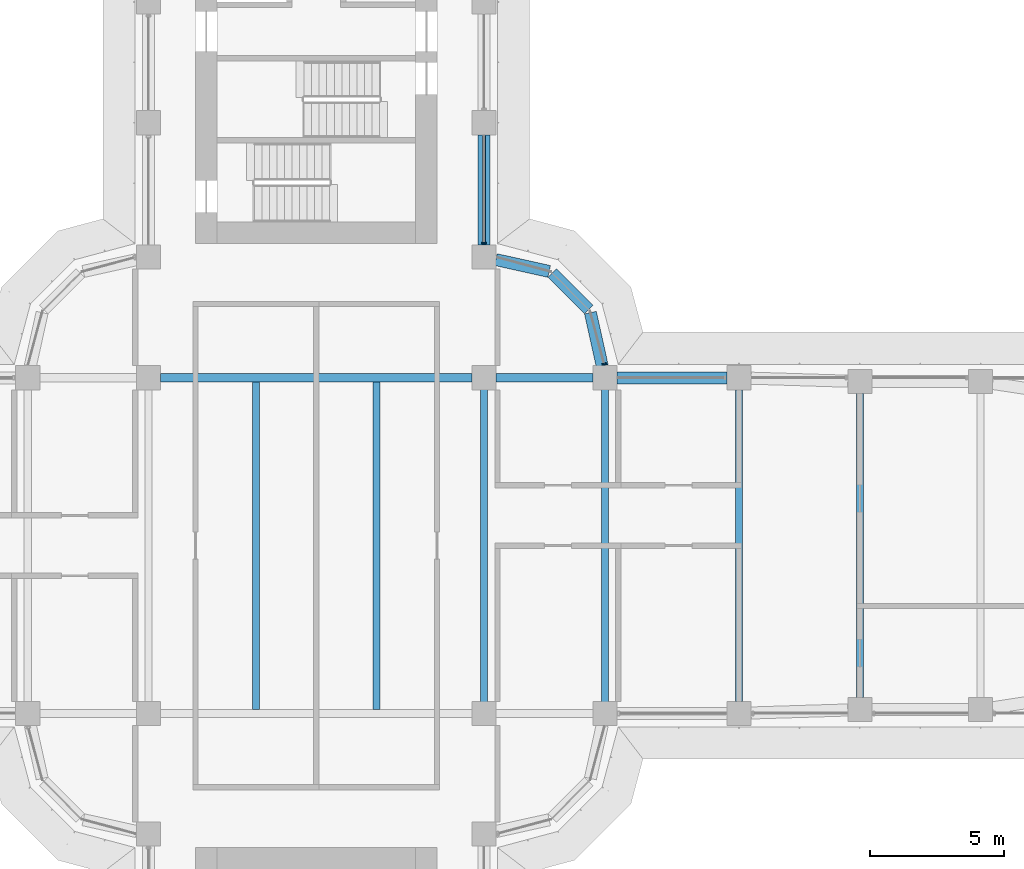
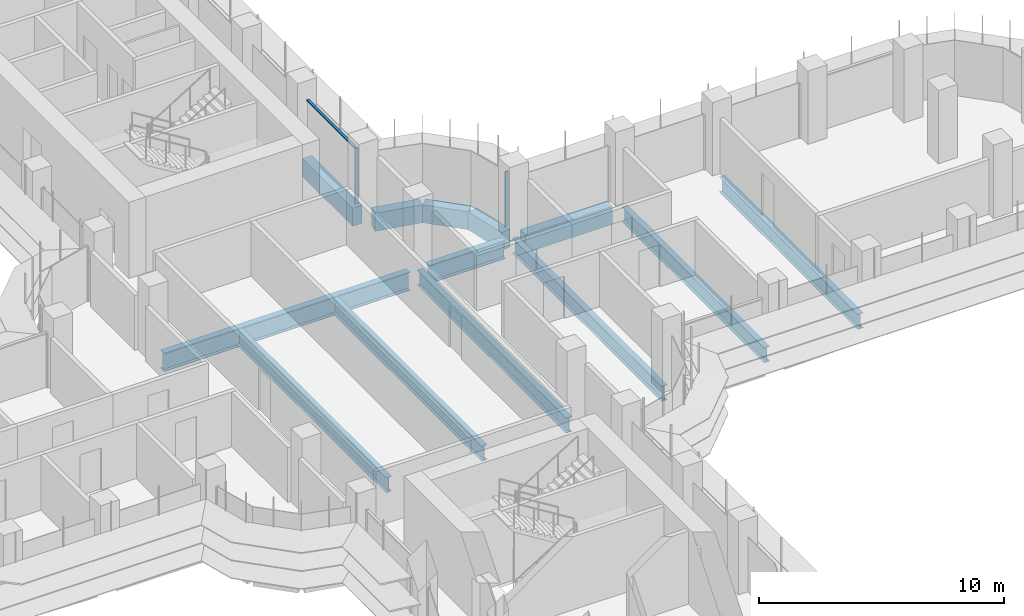
# One storey, part 8 of 23: 13 beams, 3 members, 2 elements without a shape of their own.
"""IFC4 building model written with IfcOpenShell, lengths in metres."""

import ifcopenshell
import ifcopenshell.guid

model = None  # the IFC model being written
_history = None  # IfcOwnerHistory: only IFC2X3 demands one
_inside = {}  # id of a spatial element -> (the spatial element, [elements in it])
_under = {}  # id of a project, library or spatial element -> (it, [spatial elements below it])
_declared = {}  # id of a project -> (the project, [libraries it declares])
_typed = {}  # id of a type object -> (the type object, [elements of that type])
_made_of = {}  # id of a material, layer set ... -> (it, [elements and type objects made of it])


def new_model(schema):
    """Start an empty IFC model of exactly this schema.

    Asked for "IFC4X3", IfcOpenShell would pick the latest addendum, in which some entities
    have other attributes; the version numbers below select the first issue.
    IFC2X3 requires an IfcOwnerHistory on every rooted entity: one is made here for all.
    """
    global model, _history
    if schema == "IFC4X3":
        model = ifcopenshell.file(schema_version=(4, 3, 0, 0))
    else:
        model = ifcopenshell.file(schema=schema)
    _inside.clear()
    _under.clear()
    _declared.clear()
    _typed.clear()
    _made_of.clear()
    _history = None
    if model.schema == "IFC2X3":
        org = make("IfcOrganization", Name="unknown")
        user = make(
            "IfcPersonAndOrganization",
            ThePerson=make("IfcPerson", FamilyName="unknown"),
            TheOrganization=org,
        )
        app = make(
            "IfcApplication",
            ApplicationDeveloper=org,
            Version="unknown",
            ApplicationFullName="unknown",
            ApplicationIdentifier="unknown",
        )
        _history = make(
            "IfcOwnerHistory",
            OwningUser=user,
            OwningApplication=app,
            ChangeAction="ADDED",
            CreationDate=0,
        )
    return model


def make(cls, **values):
    """One entity of the class cls with the attributes given. An attribute that is None is left unset."""
    return model.create_entity(
        cls, **{name: value for name, value in values.items() if value is not None}
    )


def rooted(cls, **values):
    """An entity with a GlobalId (a new one), such as an element, a storey or a relation."""
    return make(cls, GlobalId=ifcopenshell.guid.new(), OwnerHistory=_history, **values)


def si_unit(unit_type, name, prefix=None):
    """IfcSIUnit, for example si_unit("LENGTHUNIT", "METRE", prefix="MILLI")."""
    return make("IfcSIUnit", UnitType=unit_type, Prefix=prefix, Name=name)


def assignment(units):
    """IfcUnitAssignment: the units of a project."""
    return None if units is None else make("IfcUnitAssignment", Units=units)


def point(xyz):
    """IfcCartesianPoint."""
    return None if xyz is None else make("IfcCartesianPoint", Coordinates=xyz)


def direction(xyz):
    """IfcDirection."""
    return None if xyz is None else make("IfcDirection", DirectionRatios=xyz)


def frame(location, z_axis=None, x_axis=None):
    """IfcAxis2Placement3D, a coordinate frame: its origin and axes. An axis left out is left unset."""
    return make(
        "IfcAxis2Placement3D",
        Location=point(location),
        Axis=direction(z_axis),
        RefDirection=direction(x_axis),
    )


def frame_2d(location, x_axis=None):
    """IfcAxis2Placement2D, a coordinate frame in the plane: its origin and x axis."""
    return make(
        "IfcAxis2Placement2D", Location=point(location), RefDirection=direction(x_axis)
    )


def origin():
    """The frame at (0, 0, 0) with its axes left unset."""
    return frame((0.0, 0.0, 0.0))


def origin_2d():
    """The frame at (0, 0) in the plane with its x axis left unset."""
    return frame_2d((0.0, 0.0))


def place(relative_to, where):
    """IfcLocalPlacement: puts the frame where relative to a parent placement (None: the world)."""
    return make(
        "IfcLocalPlacement", PlacementRelTo=relative_to, RelativePlacement=where
    )


def context(
    kind, dimensions, precision=None, world=None, true_north=None, identifier=None
):
    """IfcGeometricRepresentationContext, for example the 3D "Model" context."""
    return make(
        "IfcGeometricRepresentationContext",
        ContextIdentifier=identifier,
        ContextType=kind,
        CoordinateSpaceDimension=dimensions,
        Precision=precision,
        WorldCoordinateSystem=world,
        TrueNorth=true_north,
    )


def subcontext(parent, identifier, kind, view, scale=None):
    """IfcGeometricRepresentationSubContext, for example "Body" below "Model"."""
    return make(
        "IfcGeometricRepresentationSubContext",
        ContextIdentifier=identifier,
        ContextType=kind,
        ParentContext=parent,
        TargetScale=scale,
        TargetView=view,
    )


def project(units=None, contexts=None):
    """IfcProject with its units and contexts."""
    return rooted(
        "IfcProject",
        Name="project",
        RepresentationContexts=contexts,
        UnitsInContext=assignment(units),
    )


def spatial(cls, under=None, at=None, **own):
    """A site, building, storey or space (cls), placed at a placement, below another one or the project."""
    s = rooted(cls, ObjectPlacement=at, **own)
    if under is not None:
        _under.setdefault(under.id(), (under, []))[1].append(s)
    return s


def polyline(points):
    """IfcPolyline through the points."""
    return make("IfcPolyline", Points=[point(p) for p in points])


def profile(cls, at=None, kind="AREA", **sizes):
    """A parametric profile (cls). Its sizes go by their IFC names, for example OverallWidth=200.0."""
    return make(cls, ProfileType=kind, Position=at, **sizes)


def rectangle(**sizes):
    """IfcRectangleProfileDef."""
    return profile("IfcRectangleProfileDef", **sizes)


def i_section(**sizes):
    """IfcIShapeProfileDef."""
    return profile("IfcIShapeProfileDef", **sizes)


def outline(outer, holes=None, kind="AREA"):
    """IfcArbitraryClosedProfileDef: a profile drawn as a closed curve; with holes, ...WithVoids."""
    if holes is None:
        return make("IfcArbitraryClosedProfileDef", ProfileType=kind, OuterCurve=outer)
    return make(
        "IfcArbitraryProfileDefWithVoids",
        ProfileType=kind,
        OuterCurve=outer,
        InnerCurves=holes,
    )


def extrude(swept, where, along, depth):
    """IfcExtrudedAreaSolid: the profile swept, set in the frame where, extruded along a direction by depth."""
    return make(
        "IfcExtrudedAreaSolid",
        SweptArea=swept,
        Position=where,
        ExtrudedDirection=direction(along),
        Depth=depth,
    )


def shape(context_of_items, identifier, shape_type, items):
    """IfcShapeRepresentation: the items that make up one representation, for example the "Body"."""
    return make(
        "IfcShapeRepresentation",
        ContextOfItems=context_of_items,
        RepresentationIdentifier=identifier,
        RepresentationType=shape_type,
        Items=items,
    )


def source(mapping_origin, context_of_items, identifier, shape_type, items):
    """IfcRepresentationMap: a shape defined once, which mapped items show again and again."""
    return make(
        "IfcRepresentationMap",
        MappingOrigin=mapping_origin,
        MappedRepresentation=shape(context_of_items, identifier, shape_type, items),
    )


def transform(
    local_origin,
    x_axis=None,
    y_axis=None,
    z_axis=None,
    scale=None,
    scale2=None,
    scale3=None,
    uniform=True,
):
    """IfcCartesianTransformationOperator3D, or its non-uniform kind. x_axis, y_axis, z_axis: its Axis1, 2, 3."""
    if uniform:
        return make(
            "IfcCartesianTransformationOperator3D",
            Axis1=direction(x_axis),
            Axis2=direction(y_axis),
            LocalOrigin=point(local_origin),
            Scale=scale,
            Axis3=direction(z_axis),
        )
    return make(
        "IfcCartesianTransformationOperator3DnonUniform",
        Axis1=direction(x_axis),
        Axis2=direction(y_axis),
        LocalOrigin=point(local_origin),
        Scale=scale,
        Axis3=direction(z_axis),
        Scale2=scale2,
        Scale3=scale3,
    )


def mapped(mapping_source, mapping_target):
    """IfcMappedItem: shows the shape of a source again, moved by a transform."""
    return make(
        "IfcMappedItem", MappingSource=mapping_source, MappingTarget=mapping_target
    )


def material(Name=None, Category=None):
    """IfcMaterial."""
    return make("IfcMaterial", Name=Name, Category=Category)


def material_profile(
    of_material, cross_section, Name=None, Category=None, Priority=None
):
    """IfcMaterialProfile: a cross section and its material."""
    return make(
        "IfcMaterialProfile",
        Name=Name,
        Material=of_material,
        Profile=cross_section,
        Priority=Priority,
        Category=Category,
    )


def profile_set(profiles, Name=None, composite=None):
    """IfcMaterialProfileSet."""
    return make(
        "IfcMaterialProfileSet",
        Name=Name,
        MaterialProfiles=profiles,
        CompositeProfile=composite,
    )


def made_of(thing, what):
    """Note that an element or type object is made of a material, layer set ...; save() writes the relation."""
    if what is not None:
        _made_of.setdefault(what.id(), (what, []))[1].append(thing)
    return thing


def type_object(cls, material=None, **own):
    """A type object (cls), such as IfcWallType, which elements share."""
    return made_of(rooted(cls, **own), material)


def element(
    cls,
    number,
    at=None,
    inside=None,
    cuts=None,
    type_object=None,
    material=None,
    context=None,
    identifier="Body",
    shape_type=None,
    held_by="IfcProductDefinitionShape",
    body=None,
    shapes=None,
    **own,
):
    """One element of the class cls, such as IfcWall. Its Tag is "e" and its number.

    at: its placement. inside: the storey or other place that contains it. cuts: it is an
    opening in that element (IfcRelVoidsElement). A single representation is given by context,
    identifier, shape_type and body (its items); several are given by shapes. held_by: the class
    of the entity that holds the representations. save() writes the other relations.
    """
    e = rooted(cls, Tag="e%d" % number, ObjectPlacement=at, **own)
    if body is not None:
        shapes = [shape(context, identifier, shape_type, body)]
    if shapes is not None:
        e.Representation = make(held_by, Representations=shapes)
    if inside is not None:
        _inside.setdefault(inside.id(), (inside, []))[1].append(e)
    if cuts is not None:
        rooted(
            "IfcRelVoidsElement", RelatingBuildingElement=cuts, RelatedOpeningElement=e
        )
    if type_object is not None:
        _typed.setdefault(type_object.id(), (type_object, []))[1].append(e)
    return made_of(e, material)


def aggregate(whole, parts):
    """IfcRelAggregates: a whole, such as a stair, and the parts it consists of."""
    return rooted("IfcRelAggregates", RelatingObject=whole, RelatedObjects=parts)


def save(model, path):
    """Write the relations noted so far, then the file.

    IfcRelAggregates (storeys below a building ...), IfcRelContainedInSpatialStructure (elements
    in a storey), IfcRelDefinesByType, IfcRelAssociatesMaterial and IfcRelDeclares: one each for
    every whole, place, type object, material and project.
    """
    for whole, parts in _under.values():
        aggregate(whole, parts)
    for where, things in _inside.values():
        rooted(
            "IfcRelContainedInSpatialStructure",
            RelatedElements=things,
            RelatingStructure=where,
        )
    for kind, things in _typed.values():
        rooted("IfcRelDefinesByType", RelatedObjects=things, RelatingType=kind)
    for what, things in _made_of.values():
        rooted("IfcRelAssociatesMaterial", RelatedObjects=things, RelatingMaterial=what)
    for by, libraries in _declared.values():
        rooted("IfcRelDeclares", RelatingContext=by, RelatedDefinitions=libraries)
    model.write(path)


model = new_model("IFC4")

# Units and contexts
model_context = context("Model", 3, precision=1e-05, world=origin(), true_north=direction((0.0, 1.0)))
body_context = subcontext(model_context, "Body", "Model", "MODEL_VIEW")
ifc_project = project(units=[si_unit("LENGTHUNIT", "METRE"), si_unit("AREAUNIT", "SQUARE_METRE"), si_unit("VOLUMEUNIT", "CUBIC_METRE"), si_unit("PLANEANGLEUNIT", "RADIAN"), si_unit("MASSUNIT", "GRAM", prefix="KILO")], contexts=[model_context])

# Site, building, storey
site_placement = place(None, origin())
site = spatial("IfcSite", under=ifc_project, at=site_placement, CompositionType="ELEMENT")
building_placement = place(site_placement, origin())
building = spatial("IfcBuilding", under=site, at=building_placement, Name="Zarbagh Exchange Tower", CompositionType="ELEMENT")
storey_placement = place(building_placement, frame((0.0, 0.0, 90.39990234375)))
storey = spatial("IfcBuildingStorey", under=building, at=storey_placement, Name="L20", CompositionType="ELEMENT", Elevation=90.39990234375)

# Beams
ifc_material_1 = material(Name="Steel ASTM A992 Gr 50", Category="steel")
ifc_material_profile_1 = material_profile(ifc_material_1, i_section(OverallWidth=0.2666015625, OverallDepth=0.7568359375, WebThickness=0.013916015625, FlangeThickness=0.019287109375, at=origin_2d()), Name="W30X108")
ifc_profile_set_1 = profile_set([ifc_material_profile_1], Name="Steel ASTM A992 Gr 50")
beam_type_1 = type_object("IfcBeamType", Name="Floor beam W30X108", PredefinedType="BEAM", material=ifc_profile_set_1)
for number, where, z_axis, x_axis, name in (
    (1, (-2.25, -6.09765625, -0.5283203125), (0.0, 1.0, 0.0), (-1.0, 0.0, 0.0), "Steel floor beam"),
    (2, (2.25, -6.09765625, -0.5283203125), (0.0, 1.0, 0.0), (-1.0, 0.0, 0.0), "Steel floor beam"),
    (3, (6.25, -6.09765625, -0.5283203125), (0.0, 1.0, 0.0), (-1.0, 0.0, 0.0), "Steel floor beam"),
    (4, (10.75, -6.09765625, -0.5283203125), (0.0, 1.0, 0.0), (-1.0, 0.0, 0.0), "Steel floor beam"),
):
    element("IfcBeam", number, at=place(storey_placement, frame(where, z_axis=z_axis, x_axis=x_axis)), inside=storey, type_object=beam_type_1, Name=name, PredefinedType="BEAM", context=body_context, shape_type="SweptSolid", body=[
        extrude(i_section(OverallWidth=0.2666015625, OverallDepth=0.7568359375, WebThickness=0.013916015625, FlangeThickness=0.019287109375, at=origin_2d()), origin(), (0.0, 0.0, 1.0), 12.1953125),
    ])
beam_1_placement = place(storey_placement, frame((15.75, -5.800048828125, -0.5283203125), z_axis=(0.0, 1.0, 0.0), x_axis=(-1.0, 0.0, 0.0)))
element("IfcBeam", 5, at=beam_1_placement, inside=storey, type_object=beam_type_1, Name="Steel floor beam", PredefinedType="BEAM", context=body_context, shape_type="SweptSolid", body=[
    extrude(i_section(OverallWidth=0.2666015625, OverallDepth=0.7568359375, WebThickness=0.013916015625, FlangeThickness=0.019287109375, at=origin_2d()), origin(), (0.0, 0.0, 1.0), 11.60009765625),
])
beam_2_placement = place(storey_placement, frame((20.25, -5.659912109375, -0.5283203125), z_axis=(0.0, 1.0, 0.0), x_axis=(-1.0, 0.0, 0.0)))
element("IfcBeam", 6, at=beam_2_placement, inside=storey, type_object=beam_type_1, Name="Steel floor beam", PredefinedType="BEAM", context=body_context, shape_type="SweptSolid", body=[
    extrude(i_section(OverallWidth=0.2666015625, OverallDepth=0.7568359375, WebThickness=0.013916015625, FlangeThickness=0.019287109375, at=origin_2d()), origin(), (0.0, 0.0, 1.0), 11.31982421875),
])
ifc_material_profile_2 = material_profile(ifc_material_1, i_section(OverallWidth=0.3046875, OverallDepth=0.911865234375, WebThickness=0.015869140625, FlangeThickness=0.02392578125, at=origin_2d()), Name="W36X150")
ifc_profile_set_2 = profile_set([ifc_material_profile_2], Name="Steel ASTM A992 Gr 50")
beam_type_2 = type_object("IfcBeamType", Name="Floor girder W36X150", PredefinedType="BEAM", material=ifc_profile_set_2)
beam_3_placement = place(storey_placement, frame((-5.800048828125, 6.25, -0.605712890625), z_axis=(1.0, 0.0, 0.0), x_axis=(0.0, 1.0, 0.0)))
element("IfcBeam", 7, at=beam_3_placement, inside=storey, type_object=beam_type_2, Name="Steel girder", PredefinedType="BEAM", context=body_context, shape_type="SweptSolid", body=[
    extrude(i_section(OverallWidth=0.3046875, OverallDepth=0.911865234375, WebThickness=0.015869140625, FlangeThickness=0.02392578125, at=origin_2d()), origin(), (0.0, 0.0, 1.0), 11.60009765625),
])
beam_4_placement = place(storey_placement, frame((6.699951171875, 6.25, -0.605712890625), z_axis=(1.0, 0.0, 0.0), x_axis=(0.0, 1.0, 0.0)))
element("IfcBeam", 8, at=beam_4_placement, inside=storey, type_object=beam_type_2, Name="Steel girder", PredefinedType="BEAM", context=body_context, shape_type="SweptSolid", body=[
    extrude(i_section(OverallWidth=0.3046875, OverallDepth=0.911865234375, WebThickness=0.015869140625, FlangeThickness=0.02392578125, at=origin_2d()), origin(), (0.0, 0.0, 1.0), 3.60009765625),
])
ifc_material_2 = material(Name="Concrete C60/75", Category="concrete")
ifc_material_profile_3 = material_profile(ifc_material_2, rectangle(XDim=0.449951171875, YDim=0.89990234375, at=origin_2d()), Name="RC spandrel beam 450 x 900 C60/75")
ifc_profile_set_3 = profile_set([ifc_material_profile_3], Name="Concrete C60/75")
beam_type_3 = type_object("IfcBeamType", Name="RC spandrel beam 450 x 900 C60/75", PredefinedType="SPANDREL", material=ifc_profile_set_3)
beam_5_placement = place(storey_placement, frame((6.25, 15.300048828125, -0.599853515625), z_axis=(0.0, -1.0, 0.0), x_axis=(1.0, 0.0, 0.0)))
element("IfcBeam", 9, at=beam_5_placement, inside=storey, type_object=beam_type_3, Name="RC spandrel beam", PredefinedType="SPANDREL", context=body_context, shape_type="SweptSolid", body=[
    extrude(rectangle(XDim=0.449951171875, YDim=0.89990234375, at=origin_2d()), origin(), (0.0, 0.0, 1.0), 4.10009765625),
])
beam_6_placement = place(storey_placement, frame((6.689453125, 10.65283203125, -0.599853515625), z_axis=(0.976367325525, -0.216117666208, 0.0), x_axis=(0.216117666208, 0.976367325525, 0.0)))
element("IfcBeam", 10, at=beam_6_placement, inside=storey, type_object=beam_type_3, Name="RC spandrel beam", PredefinedType="SPANDREL", context=body_context, shape_type="SweptSolid", body=[
    extrude(rectangle(XDim=0.449951171875, YDim=0.89990234375, at=origin_2d()), origin(), (0.0, 0.0, 1.0), 2.03564453125),
])
beam_7_placement = place(storey_placement, frame((8.78759765625, 10.15234375, -0.599853515625), z_axis=(0.707106781187, -0.707106781187, 0.0), x_axis=(0.707106781187, 0.707106781187, 0.0)))
element("IfcBeam", 11, at=beam_7_placement, inside=storey, type_object=beam_type_3, Name="RC spandrel beam", PredefinedType="SPANDREL", context=body_context, shape_type="SweptSolid", body=[
    extrude(rectangle(XDim=0.449951171875, YDim=0.89990234375, at=origin_2d()), origin(), (0.0, 0.0, 1.0), 1.929931640625),
])
beam_8_placement = place(storey_placement, frame((10.212890625, 8.677001953125, -0.599853515625), z_axis=(0.216117666208, -0.976367325525, 0.0), x_axis=(0.976367325525, 0.216117666208, 0.0)))
element("IfcBeam", 12, at=beam_8_placement, inside=storey, type_object=beam_type_3, Name="RC spandrel beam", PredefinedType="SPANDREL", context=body_context, shape_type="SweptSolid", body=[
    extrude(rectangle(XDim=0.449951171875, YDim=0.89990234375, at=origin_2d()), origin(), (0.0, 0.0, 1.0), 2.03564453125),
])
beam_9_placement = place(storey_placement, frame((11.199951171875, 6.25, -0.599853515625), z_axis=(1.0, 0.0, 0.0), x_axis=(0.0, 1.0, 0.0)))
element("IfcBeam", 13, at=beam_9_placement, inside=storey, type_object=beam_type_3, Name="RC spandrel beam", PredefinedType="SPANDREL", context=body_context, shape_type="SweptSolid", body=[
    extrude(rectangle(XDim=0.449951171875, YDim=0.89990234375, at=origin_2d()), origin(), (0.0, 0.0, 1.0), 4.10009765625),
])

# Curtain wall, member
ifc_material_3 = material(Name="Anodised aluminium frame and glazing", Category="aluminium")
curtain_wall_type = type_object("IfcCurtainWallType", Name="CWA Ribbon glazing, lower zones", PredefinedType="NOTDEFINED", material=ifc_material_3)
curtain_wall_1_placement = place(storey_placement, origin())
curtain_wall_1 = element("IfcCurtainWall", 14, at=curtain_wall_1_placement, inside=storey, type_object=curtain_wall_type, Name="CWA17 curtain wall", PredefinedType="NOTDEFINED")
ifc_material_4 = material(Name="Anodised aluminium frame", Category="aluminium")
member_type_1 = type_object("IfcMemberType", Name="MUA Mullion, anodised aluminium frame", PredefinedType="MULLION", material=ifc_material_4)
shared_shape_1 = source(origin(), body_context, "Body", "SweptSolid", [
    extrude(outline(polyline([(0.0, -0.080078125), (0.06005859375, -0.080078125), (0.06005859375, 0.080078125), (0.0, 0.080078125), (0.0, -0.080078125)])), origin(), (0.0, 0.0, 1.0), 2.75),
])
placement = place(storey_placement, origin())
member_1 = element("IfcMember", 15, at=placement, type_object=member_type_1, Name="CWA17 mullion 1.1", PredefinedType="MULLION", context=body_context, shape_type="MappedRepresentation", body=[
    mapped(shared_shape_1, transform((10.735107421875, 6.739990234375, 0.0), x_axis=(-0.258824779902, 0.965924289636, 0.0), y_axis=(-0.965924289636, -0.258824779902, 0.0), z_axis=(0.0, 0.0, 1.0))),
])
aggregate(curtain_wall_1, [member_1])

# Curtain wall, members
curtain_wall_2_placement = place(storey_placement, origin())
curtain_wall_2 = element("IfcCurtainWall", 16, at=curtain_wall_2_placement, inside=storey, type_object=curtain_wall_type, Name="CWA20 curtain wall", PredefinedType="NOTDEFINED")
member_2 = element("IfcMember", 17, at=placement, type_object=member_type_1, Name="CWA20 mullion 1.1", PredefinedType="MULLION", context=body_context, shape_type="MappedRepresentation", body=[
    mapped(shared_shape_1, transform((6.25, 11.239990234375, 0.0), x_axis=(0.0, 1.0, 0.0), y_axis=(-1.0, 0.0, 0.0), z_axis=(0.0, 0.0, 1.0))),
])
member_type_2 = type_object("IfcMemberType", Name="TRA Transom, anodised aluminium frame", PredefinedType="USERDEFINED", material=ifc_material_4)
shared_shape_2 = source(origin(), body_context, "Body", "SweptSolid", [
    extrude(outline(polyline([(-0.06005859375, -0.06005859375), (0.0, -0.06005859375), (0.0, 0.06005859375), (-0.06005859375, 0.06005859375), (-0.06005859375, -0.06005859375)])), origin(), (0.0, 0.0, 1.0), 3.9599609375),
])
member_3 = element("IfcMember", 18, at=placement, type_object=member_type_2, Name="CWA20 transom 1.1", ObjectType="TRANSOM", PredefinedType="USERDEFINED", context=body_context, shape_type="MappedRepresentation", body=[
    mapped(shared_shape_2, transform((6.25, 11.300048828125, 2.75), x_axis=(0.0, 0.0, 1.0), y_axis=(1.0, 0.0, 0.0), z_axis=(0.0, 1.0, 0.0))),
])
aggregate(curtain_wall_2, [member_2, member_3])

save(model, "model.ifc")
